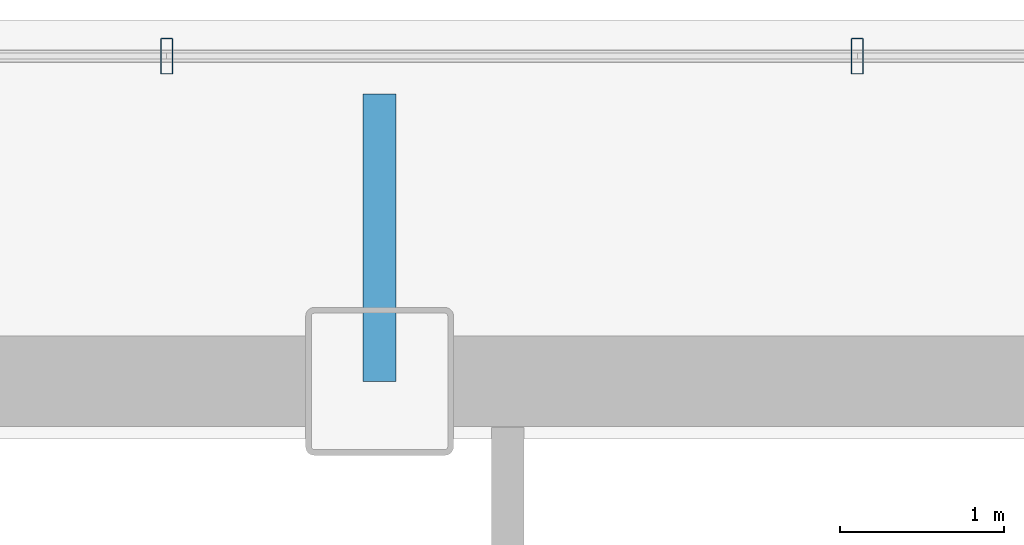
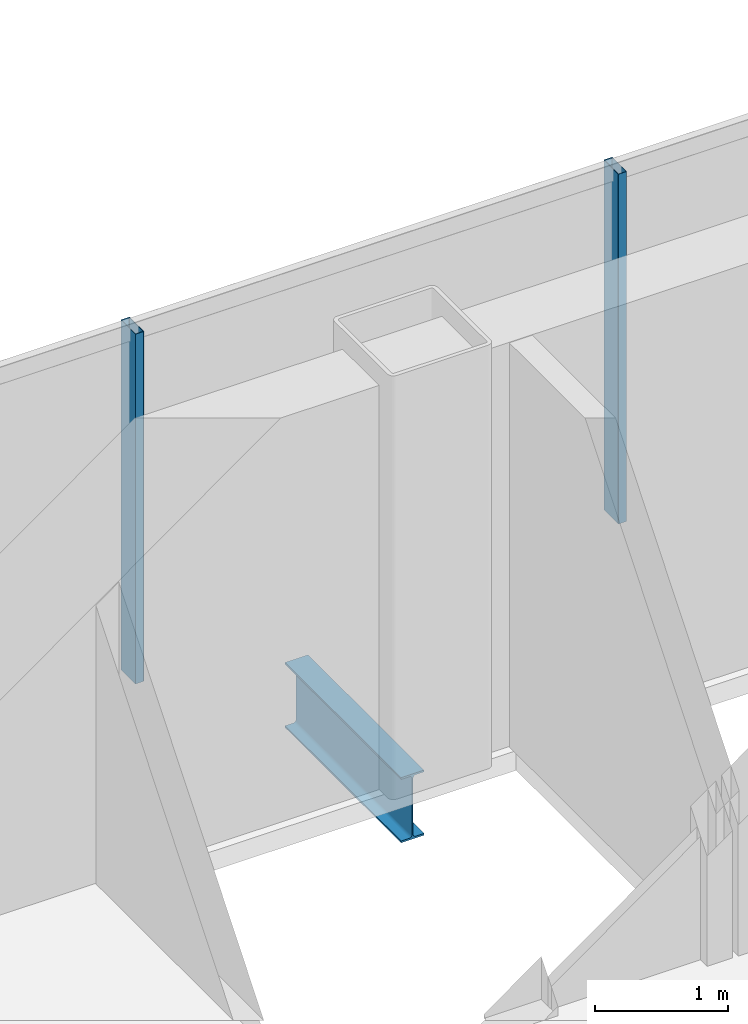
# One storey, part 12 of 22: 2 members, 1 beam, 1 element without a shape of its own.
"""IFC4 building model written with IfcOpenShell, lengths in metres."""

from ifc_helpers import new_model, si_unit, direction, frame, origin, origin_2d, place, context, subcontext, project, spatial, hollow_rectangle, i_section, extrude, material, material_profile, profile_set, type_object, element, aggregate, save


model = new_model("IFC4")

# Units and contexts
model_context = context("Model", 3, precision=1e-05, world=origin(), true_north=direction((0.0, 1.0)))
body_context = subcontext(model_context, "Body", "Model", "MODEL_VIEW")
ifc_project = project(units=[si_unit("LENGTHUNIT", "METRE"), si_unit("AREAUNIT", "SQUARE_METRE"), si_unit("VOLUMEUNIT", "CUBIC_METRE"), si_unit("PLANEANGLEUNIT", "RADIAN"), si_unit("MASSUNIT", "GRAM", prefix="KILO")], contexts=[model_context])

# Site, building, storey
site_placement = place(None, origin())
site = spatial("IfcSite", under=ifc_project, at=site_placement, CompositionType="ELEMENT")
building_placement = place(site_placement, origin())
building = spatial("IfcBuilding", under=site, at=building_placement, Name="Noeulbin Bourse Tower", CompositionType="ELEMENT")
storey_placement = place(building_placement, frame((0.0, 0.0, 130.5)))
storey = spatial("IfcBuildingStorey", under=building, at=storey_placement, Name="L32", CompositionType="ELEMENT", Elevation=130.5)

# Beam
ifc_material_1 = material(Name="Steel S355", Category="steel")
ifc_material_profile_1 = material_profile(ifc_material_1, i_section(OverallWidth=0.199951171875, OverallDepth=0.60009765625, WebThickness=0.010986328125, FlangeThickness=0.01708984375, FilletRadius=0.02197265625, at=origin_2d()), Name="H-600x200x11x17", Category="LoadBearing")
ifc_profile_set_1 = profile_set([ifc_material_profile_1], Name="Steel S355")
beam_type = type_object("IfcBeamType", Name="BM-GRD-600", PredefinedType="USERDEFINED", material=ifc_profile_set_1)
beam_placement = place(storey_placement, frame((31.0, 38.300048828125, -0.47998046875), z_axis=(0.0, 1.0, 0.0), x_axis=(-1.0, 0.0, 0.0)))
element("IfcBeam", 1, at=beam_placement, inside=storey, type_object=beam_type, Name="Tower Primary Girder NS L32-3.4", ObjectType="GIRDER", PredefinedType="USERDEFINED", context=body_context, shape_type="SweptSolid", body=[
    extrude(i_section(OverallWidth=0.199951171875, OverallDepth=0.60009765625, WebThickness=0.010986328125, FlangeThickness=0.01708984375, FilletRadius=0.02197265625, at=origin_2d()), origin(), (0.0, 0.0, 1.0), 1.75),
])

# Curtain wall, members
ifc_material_2 = material(Name="Dark Tinted Triple Glazing", Category="glass")
curtain_wall_type = type_object("IfcCurtainWallType", Name="CW-SYS-3", PredefinedType="NOTDEFINED", material=ifc_material_2)
curtain_wall_placement = place(storey_placement, origin())
curtain_wall = element("IfcCurtainWall", 2, at=curtain_wall_placement, inside=storey, type_object=curtain_wall_type, Name="Unitised Curtain Wall CW-L32-N", PredefinedType="NOTDEFINED")
ifc_material_3 = material(Name="Anodised Aluminium 6063-T6", Category="aluminium")
ifc_material_profile_2 = material_profile(ifc_material_3, hollow_rectangle(XDim=0.074951171875, YDim=0.219970703125, WallThickness=0.0048828125, InnerFilletRadius=0.00244140625, OuterFilletRadius=0.0048828125, at=origin_2d()), Name="ALU-MULL-75x220x5", Category="LoadBearing")
ifc_profile_set_2 = profile_set([ifc_material_profile_2], Name="Anodised Aluminium 6063-T6")
member_type = type_object("IfcMemberType", Name="CW-SYS-3-MUL", PredefinedType="MULLION", material=ifc_profile_set_2)
member_1_placement = place(storey_placement, frame((29.7041015625, 40.280029296875, -0.02001953125), z_axis=(0.0, 0.0, 1.0), x_axis=(1.0, 0.0, 0.0)))
member_1 = element("IfcMember", 3, at=member_1_placement, type_object=member_type, Name="Curtain Wall Mullion CW-L32-N-M06", PredefinedType="MULLION", context=body_context, shape_type="SweptSolid", body=[
    extrude(hollow_rectangle(XDim=0.074951171875, YDim=0.219970703125, WallThickness=0.0048828125, InnerFilletRadius=0.00244140625, OuterFilletRadius=0.0048828125, at=origin_2d()), origin(), (0.0, 0.0, 1.0), 3.219970703125),
])
member_2_placement = place(storey_placement, frame((33.907958984375, 40.280029296875, -0.02001953125), z_axis=(0.0, 0.0, 1.0), x_axis=(1.0, 0.0, 0.0)))
member_2 = element("IfcMember", 4, at=member_2_placement, type_object=member_type, Name="Curtain Wall Mullion CW-L32-N-M07", PredefinedType="MULLION", context=body_context, shape_type="SweptSolid", body=[
    extrude(hollow_rectangle(XDim=0.074951171875, YDim=0.219970703125, WallThickness=0.0048828125, InnerFilletRadius=0.00244140625, OuterFilletRadius=0.0048828125, at=origin_2d()), origin(), (0.0, 0.0, 1.0), 3.219970703125),
])
aggregate(curtain_wall, [member_1, member_2])

save(model, "model.ifc")
